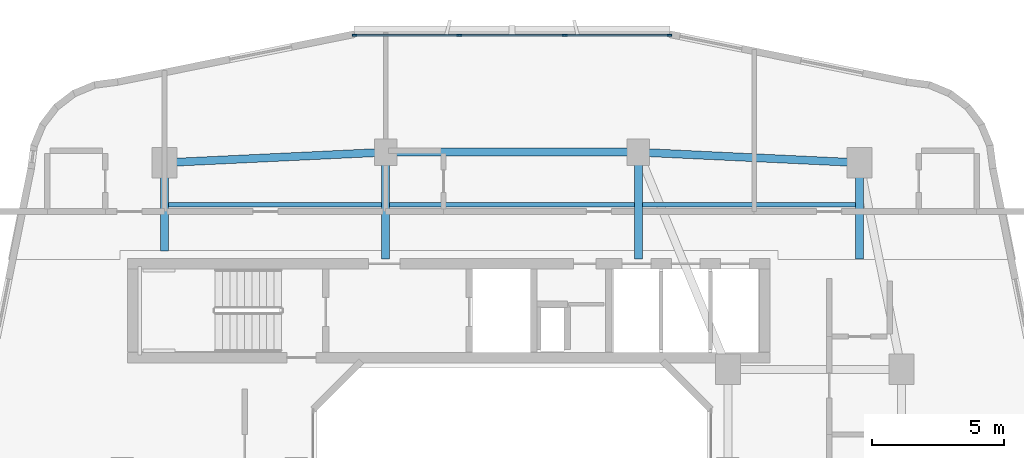
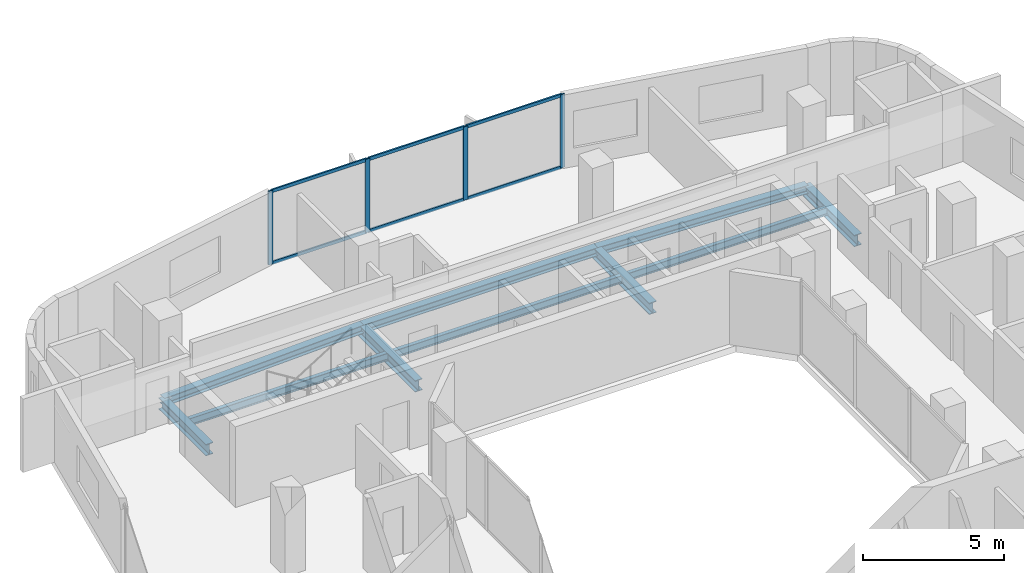
# One storey, part 7 of 26: 10 beams, 10 members, 1 element without a shape of its own.
"""IFC4 building model written with IfcOpenShell, lengths in metres."""

from ifc_helpers import new_model, si_unit, derived_unit, direction, frame, origin, origin_2d, place, context, subcontext, project, spatial, rectangle, i_section, extrude, material, layer, layer_set, material_profile, profile_set, type_object, element, aggregate, save


model = new_model("IFC4")

# Units and contexts
model_context = context("Model", 3, precision=1e-05, world=origin(), true_north=direction((0.0, 1.0)))
body_context = subcontext(model_context, "Body", "Model", "MODEL_VIEW")
ifc_project = project(units=[si_unit("LENGTHUNIT", "METRE"), si_unit("AREAUNIT", "SQUARE_METRE"), si_unit("VOLUMEUNIT", "CUBIC_METRE"), si_unit("PLANEANGLEUNIT", "RADIAN"), si_unit("MASSUNIT", "GRAM", prefix="KILO"), derived_unit("THERMALTRANSMITTANCEUNIT", [(si_unit("POWERUNIT", "WATT"), 1), (si_unit("LENGTHUNIT", "METRE"), -2), (si_unit("THERMODYNAMICTEMPERATUREUNIT", "KELVIN"), -1)])], contexts=[model_context])

# Site, building, storey
site_placement = place(None, origin())
site = spatial("IfcSite", under=ifc_project, at=site_placement, CompositionType="ELEMENT")
building_placement = place(site_placement, origin())
building = spatial("IfcBuilding", under=site, at=building_placement, Name="Kivonza Crest Hotel", CompositionType="ELEMENT")
storey_placement = place(building_placement, frame((0.0, 0.0, 116.0)))
storey = spatial("IfcBuildingStorey", under=building, at=storey_placement, Name="L31", CompositionType="ELEMENT", Elevation=116.0)

# Beams
ifc_material_1 = material(Name="Steel S355", Category="steel")
ifc_material_profile_1 = material_profile(ifc_material_1, i_section(OverallWidth=0.300048828125, OverallDepth=0.360107421875, WebThickness=0.012451171875, FlangeThickness=0.0224609375, FilletRadius=0.027099609375, at=origin_2d()), Name="HEB 360")
ifc_profile_set_1 = profile_set([ifc_material_profile_1], Name="Steel S355")
beam_type_1 = type_object("IfcBeamType", Name="BM-HEB360", PredefinedType="SPANDREL", material=ifc_profile_set_1)
beam_1_placement = place(storey_placement, frame((34.199951171875, 40.199951171875, -0.4599609375), z_axis=(-0.998867283688, 0.047583080799, 0.0), x_axis=(-0.047583080799, -0.998867283688, 0.0)))
element("IfcBeam", 1, at=beam_1_placement, inside=storey, type_object=beam_type_1, Name="Tower T1 L31 perimeter spandrel NE-N2", PredefinedType="SPANDREL", context=body_context, shape_type="SweptSolid", body=[
    extrude(i_section(OverallWidth=0.300048828125, OverallDepth=0.360107421875, WebThickness=0.012451171875, FlangeThickness=0.0224609375, FilletRadius=0.027099609375, at=origin_2d()), origin(), (0.0, 0.0, 1.0), 8.409423828125),
])
beam_2_placement = place(storey_placement, frame((25.800048828125, 40.60009765625, -0.4599609375), z_axis=(-1.0, 0.0, 0.0), x_axis=(0.0, -1.0, 0.0)))
element("IfcBeam", 2, at=beam_2_placement, inside=storey, type_object=beam_type_1, Name="Tower T1 L31 perimeter spandrel N2-N1", PredefinedType="SPANDREL", context=body_context, shape_type="SweptSolid", body=[
    extrude(i_section(OverallWidth=0.300048828125, OverallDepth=0.360107421875, WebThickness=0.012451171875, FlangeThickness=0.0224609375, FilletRadius=0.027099609375, at=origin_2d()), origin(), (0.0, 0.0, 1.0), 9.60009765625),
])
beam_3_placement = place(storey_placement, frame((16.199951171875, 40.60009765625, -0.4599609375), z_axis=(-0.998867283688, -0.047583080799, 0.0), x_axis=(0.047583080799, -0.998867283688, 0.0)))
element("IfcBeam", 3, at=beam_3_placement, inside=storey, type_object=beam_type_1, Name="Tower T1 L31 perimeter spandrel N1-NW", PredefinedType="SPANDREL", context=body_context, shape_type="SweptSolid", body=[
    extrude(i_section(OverallWidth=0.300048828125, OverallDepth=0.360107421875, WebThickness=0.012451171875, FlangeThickness=0.0224609375, FilletRadius=0.027099609375, at=origin_2d()), origin(), (0.0, 0.0, 1.0), 8.409423828125),
])
ifc_material_profile_2 = material_profile(ifc_material_1, i_section(OverallWidth=0.300048828125, OverallDepth=0.5, WebThickness=0.014404296875, FlangeThickness=0.028076171875, FilletRadius=0.027099609375, at=origin_2d()), Name="HEB 500")
ifc_profile_set_2 = profile_set([ifc_material_profile_2], Name="Steel S355")
beam_type_2 = type_object("IfcBeamType", Name="BM-HEB500", PredefinedType="BEAM", material=ifc_profile_set_2)
beam_4_placement = place(storey_placement, frame((7.800048828125, 40.199951171875, -0.530029296875), z_axis=(0.0, -1.0, 0.0), x_axis=(1.0, 0.0, 0.0)))
element("IfcBeam", 4, at=beam_4_placement, inside=storey, type_object=beam_type_2, Name="Tower T1 L31 radial core girder RNW", PredefinedType="BEAM", context=body_context, shape_type="SweptSolid", body=[
    extrude(i_section(OverallWidth=0.300048828125, OverallDepth=0.5, WebThickness=0.014404296875, FlangeThickness=0.028076171875, FilletRadius=0.027099609375, at=origin_2d()), origin(), (0.0, 0.0, 1.0), 3.349853515625),
])
for number, where, z_axis, x_axis, name in (
    (5, (16.199951171875, 40.60009765625, -0.530029296875), (0.0, -1.0, 0.0), (1.0, 0.0, 0.0), "Tower T1 L31 radial core girder RN1"),
    (6, (25.800048828125, 40.60009765625, -0.530029296875), (0.0, -1.0, 0.0), (1.0, 0.0, 0.0), "Tower T1 L31 radial core girder RN2"),
):
    element("IfcBeam", number, at=place(storey_placement, frame(where, z_axis=z_axis, x_axis=x_axis)), inside=storey, type_object=beam_type_2, Name=name, PredefinedType="BEAM", context=body_context, shape_type="SweptSolid", body=[
        extrude(i_section(OverallWidth=0.300048828125, OverallDepth=0.5, WebThickness=0.014404296875, FlangeThickness=0.028076171875, FilletRadius=0.027099609375, at=origin_2d()), origin(), (0.0, 0.0, 1.0), 4.050048828125),
    ])
beam_5_placement = place(storey_placement, frame((34.199951171875, 40.199951171875, -0.530029296875), z_axis=(0.0, -1.0, 0.0), x_axis=(1.0, 0.0, 0.0)))
element("IfcBeam", 7, at=beam_5_placement, inside=storey, type_object=beam_type_2, Name="Tower T1 L31 radial core girder RNE", PredefinedType="BEAM", context=body_context, shape_type="SweptSolid", body=[
    extrude(i_section(OverallWidth=0.300048828125, OverallDepth=0.5, WebThickness=0.014404296875, FlangeThickness=0.028076171875, FilletRadius=0.027099609375, at=origin_2d()), origin(), (0.0, 0.0, 1.0), 3.64990234375),
])
ifc_material_profile_3 = material_profile(ifc_material_1, i_section(OverallWidth=0.159912109375, OverallDepth=0.330078125, WebThickness=0.007568359375, FlangeThickness=0.011474609375, FilletRadius=0.01806640625, at=origin_2d()), Name="IPE 330")
ifc_profile_set_3 = profile_set([ifc_material_profile_3], Name="Steel S355")
beam_type_3 = type_object("IfcBeamType", Name="BM-IPE330", PredefinedType="JOIST", material=ifc_profile_set_3)
beam_6_placement = place(storey_placement, frame((7.8798828125, 38.60009765625, -0.445068359375), z_axis=(1.0, 0.0, 0.0), x_axis=(0.0, 1.0, 0.0)))
element("IfcBeam", 8, at=beam_6_placement, inside=storey, type_object=beam_type_3, Name="Tower T1 L31 North-West floor joist", PredefinedType="JOIST", context=body_context, shape_type="SweptSolid", body=[
    extrude(i_section(OverallWidth=0.159912109375, OverallDepth=0.330078125, WebThickness=0.007568359375, FlangeThickness=0.011474609375, FilletRadius=0.01806640625, at=origin_2d()), origin(), (0.0, 0.0, 1.0), 8.240234375),
])
beam_7_placement = place(storey_placement, frame((16.280029296875, 38.60009765625, -0.445068359375), z_axis=(1.0, 0.0, 0.0), x_axis=(0.0, 1.0, 0.0)))
element("IfcBeam", 9, at=beam_7_placement, inside=storey, type_object=beam_type_3, Name="Tower T1 L31 North-Mid floor joist", PredefinedType="JOIST", context=body_context, shape_type="SweptSolid", body=[
    extrude(i_section(OverallWidth=0.159912109375, OverallDepth=0.330078125, WebThickness=0.007568359375, FlangeThickness=0.011474609375, FilletRadius=0.01806640625, at=origin_2d()), origin(), (0.0, 0.0, 1.0), 9.43994140625),
])
beam_8_placement = place(storey_placement, frame((25.8798828125, 38.60009765625, -0.445068359375), z_axis=(1.0, 0.0, 0.0), x_axis=(0.0, 1.0, 0.0)))
element("IfcBeam", 10, at=beam_8_placement, inside=storey, type_object=beam_type_3, Name="Tower T1 L31 North-East floor joist", PredefinedType="JOIST", context=body_context, shape_type="SweptSolid", body=[
    extrude(i_section(OverallWidth=0.159912109375, OverallDepth=0.330078125, WebThickness=0.007568359375, FlangeThickness=0.011474609375, FilletRadius=0.01806640625, at=origin_2d()), origin(), (0.0, 0.0, 1.0), 8.240234375),
])

# Curtain wall, members
ifc_material_2 = material(Name="Anodised bronze aluminium and low-E double glazing", Category="aluminium")
ifc_layer = layer(ifc_material_2, 0.179931640625)
ifc_layer_set = layer_set([ifc_layer], Name="Anodised bronze aluminium and low-E double glazing")
curtain_wall_type = type_object("IfcCurtainWallType", Name="CW-SYS-2", PredefinedType="NOTDEFINED", material=ifc_layer_set)
curtain_wall_placement = place(storey_placement, origin())
curtain_wall = element("IfcCurtainWall", 11, at=curtain_wall_placement, inside=storey, type_object=curtain_wall_type, Name="L31 unitised curtain wall CW-T1-L31-26", PredefinedType="NOTDEFINED")
ifc_material_3 = material(Name="Anodised bronze aluminium", Category="aluminium")
ifc_material_profile_4 = material_profile(ifc_material_3, rectangle(XDim=0.06494140625, YDim=0.179931640625, at=origin_2d()), Name="CW-M 65x180")
ifc_profile_set_4 = profile_set([ifc_material_profile_4], Name="Anodised bronze aluminium")
member_type_1 = type_object("IfcMemberType", Name="CW-MUL-65x180", PredefinedType="MULLION", material=ifc_profile_set_4)
member_1_placement = place(storey_placement, frame((26.987548828125, 45.0400390625, 0.0), z_axis=(0.0, 0.0, 1.0), x_axis=(0.0, -1.0, 0.0)))
member_1 = element("IfcMember", 12, at=member_1_placement, type_object=member_type_1, Name="CW-2 mullion 1", PredefinedType="MULLION", context=body_context, shape_type="SweptSolid", body=[
    extrude(rectangle(XDim=0.06494140625, YDim=0.179931640625, at=origin_2d()), origin(), (0.0, 0.0, 1.0), 3.179931640625),
])
member_2_placement = place(storey_placement, frame((23.006591796875, 45.0400390625, 0.0), z_axis=(0.0, 0.0, 1.0), x_axis=(0.0, -1.0, 0.0)))
member_2 = element("IfcMember", 13, at=member_2_placement, type_object=member_type_1, Name="CW-2 mullion 2", PredefinedType="MULLION", context=body_context, shape_type="SweptSolid", body=[
    extrude(rectangle(XDim=0.06494140625, YDim=0.179931640625, at=origin_2d()), origin(), (0.0, 0.0, 1.0), 3.179931640625),
])
member_3_placement = place(storey_placement, frame((18.993408203125, 45.0400390625, 0.0), z_axis=(0.0, 0.0, 1.0), x_axis=(0.0, -1.0, 0.0)))
member_3 = element("IfcMember", 14, at=member_3_placement, type_object=member_type_1, Name="CW-2 mullion 3", PredefinedType="MULLION", context=body_context, shape_type="SweptSolid", body=[
    extrude(rectangle(XDim=0.06494140625, YDim=0.179931640625, at=origin_2d()), origin(), (0.0, 0.0, 1.0), 3.179931640625),
])
member_4_placement = place(storey_placement, frame((15.012451171875, 45.0400390625, 0.0), z_axis=(0.0, 0.0, 1.0), x_axis=(0.0, -1.0, 0.0)))
member_4 = element("IfcMember", 15, at=member_4_placement, type_object=member_type_1, Name="CW-2 mullion 4", PredefinedType="MULLION", context=body_context, shape_type="SweptSolid", body=[
    extrude(rectangle(XDim=0.06494140625, YDim=0.179931640625, at=origin_2d()), origin(), (0.0, 0.0, 1.0), 3.179931640625),
])
ifc_material_profile_5 = material_profile(ifc_material_3, rectangle(XDim=0.06494140625, YDim=0.139892578125, at=origin_2d()), Name="CW-T 65x140")
ifc_profile_set_5 = profile_set([ifc_material_profile_5], Name="Anodised bronze aluminium")
member_type_2 = type_object("IfcMemberType", Name="CW-TRN-65x140", PredefinedType="USERDEFINED", material=ifc_profile_set_5)
member_5_placement = place(storey_placement, frame((26.955078125, 45.0400390625, 0.032470703125), z_axis=(-1.0, 0.0, 0.0), x_axis=(0.0, -1.0, 0.0)))
member_5 = element("IfcMember", 16, at=member_5_placement, type_object=member_type_2, Name="CW-2 transom 1.1", ObjectType="TRANSOM", PredefinedType="USERDEFINED", context=body_context, shape_type="SweptSolid", body=[
    extrude(rectangle(XDim=0.06494140625, YDim=0.139892578125, at=origin_2d()), origin(), (0.0, 0.0, 1.0), 3.916015625),
])
member_6_placement = place(storey_placement, frame((26.955078125, 45.0400390625, 3.1474609375), z_axis=(-1.0, 0.0, 0.0), x_axis=(0.0, -1.0, 0.0)))
member_6 = element("IfcMember", 17, at=member_6_placement, type_object=member_type_2, Name="CW-2 transom 1.2", ObjectType="TRANSOM", PredefinedType="USERDEFINED", context=body_context, shape_type="SweptSolid", body=[
    extrude(rectangle(XDim=0.06494140625, YDim=0.139892578125, at=origin_2d()), origin(), (0.0, 0.0, 1.0), 3.916015625),
])
member_7_placement = place(storey_placement, frame((22.97412109375, 45.0400390625, 0.032470703125), z_axis=(-1.0, 0.0, 0.0), x_axis=(0.0, -1.0, 0.0)))
member_7 = element("IfcMember", 18, at=member_7_placement, type_object=member_type_2, Name="CW-2 transom 2.1", ObjectType="TRANSOM", PredefinedType="USERDEFINED", context=body_context, shape_type="SweptSolid", body=[
    extrude(rectangle(XDim=0.06494140625, YDim=0.139892578125, at=origin_2d()), origin(), (0.0, 0.0, 1.0), 3.9482421875),
])
member_8_placement = place(storey_placement, frame((22.97412109375, 45.0400390625, 3.1474609375), z_axis=(-1.0, 0.0, 0.0), x_axis=(0.0, -1.0, 0.0)))
member_8 = element("IfcMember", 19, at=member_8_placement, type_object=member_type_2, Name="CW-2 transom 2.2", ObjectType="TRANSOM", PredefinedType="USERDEFINED", context=body_context, shape_type="SweptSolid", body=[
    extrude(rectangle(XDim=0.06494140625, YDim=0.139892578125, at=origin_2d()), origin(), (0.0, 0.0, 1.0), 3.9482421875),
])
member_9_placement = place(storey_placement, frame((18.9609375, 45.0400390625, 0.032470703125), z_axis=(-1.0, 0.0, 0.0), x_axis=(0.0, -1.0, 0.0)))
member_9 = element("IfcMember", 20, at=member_9_placement, type_object=member_type_2, Name="CW-2 transom 3.1", ObjectType="TRANSOM", PredefinedType="USERDEFINED", context=body_context, shape_type="SweptSolid", body=[
    extrude(rectangle(XDim=0.06494140625, YDim=0.139892578125, at=origin_2d()), origin(), (0.0, 0.0, 1.0), 3.916015625),
])
member_10_placement = place(storey_placement, frame((18.9609375, 45.0400390625, 3.1474609375), z_axis=(-1.0, 0.0, 0.0), x_axis=(0.0, -1.0, 0.0)))
member_10 = element("IfcMember", 21, at=member_10_placement, type_object=member_type_2, Name="CW-2 transom 3.2", ObjectType="TRANSOM", PredefinedType="USERDEFINED", context=body_context, shape_type="SweptSolid", body=[
    extrude(rectangle(XDim=0.06494140625, YDim=0.139892578125, at=origin_2d()), origin(), (0.0, 0.0, 1.0), 3.916015625),
])
aggregate(curtain_wall, [member_1, member_2, member_3, member_4, member_5, member_6, member_7, member_8, member_9, member_10])

save(model, "model.ifc")
